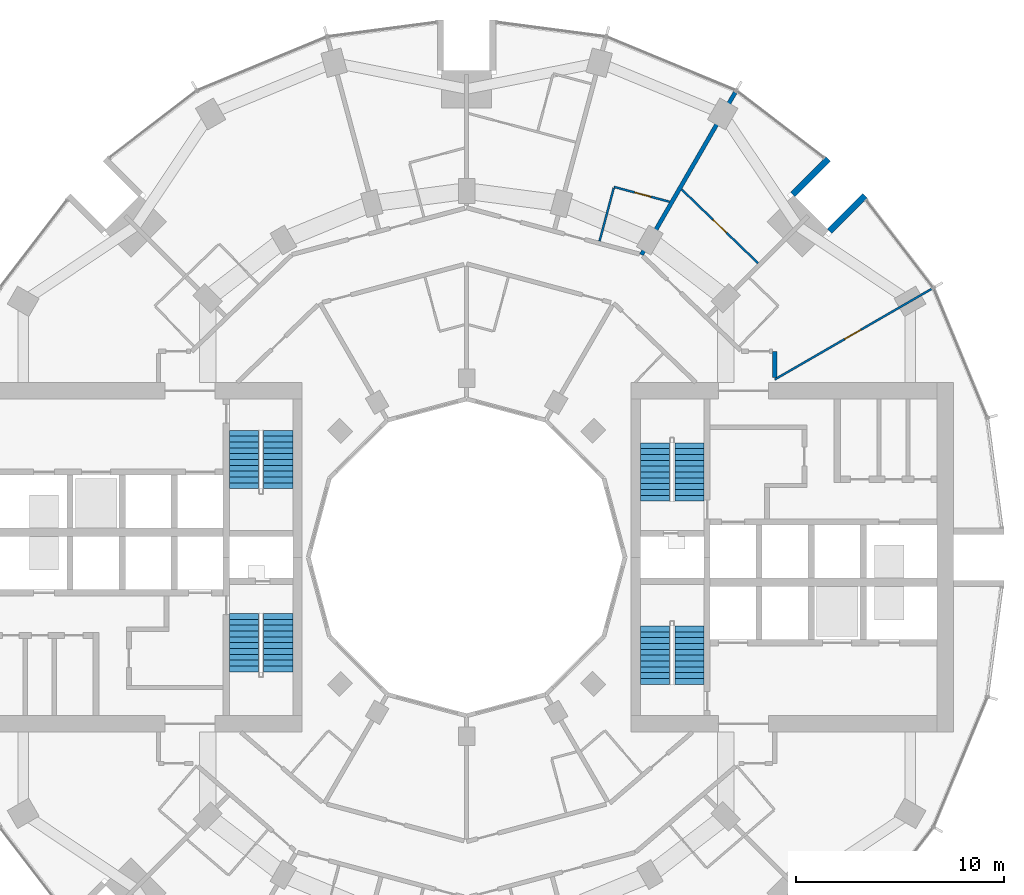
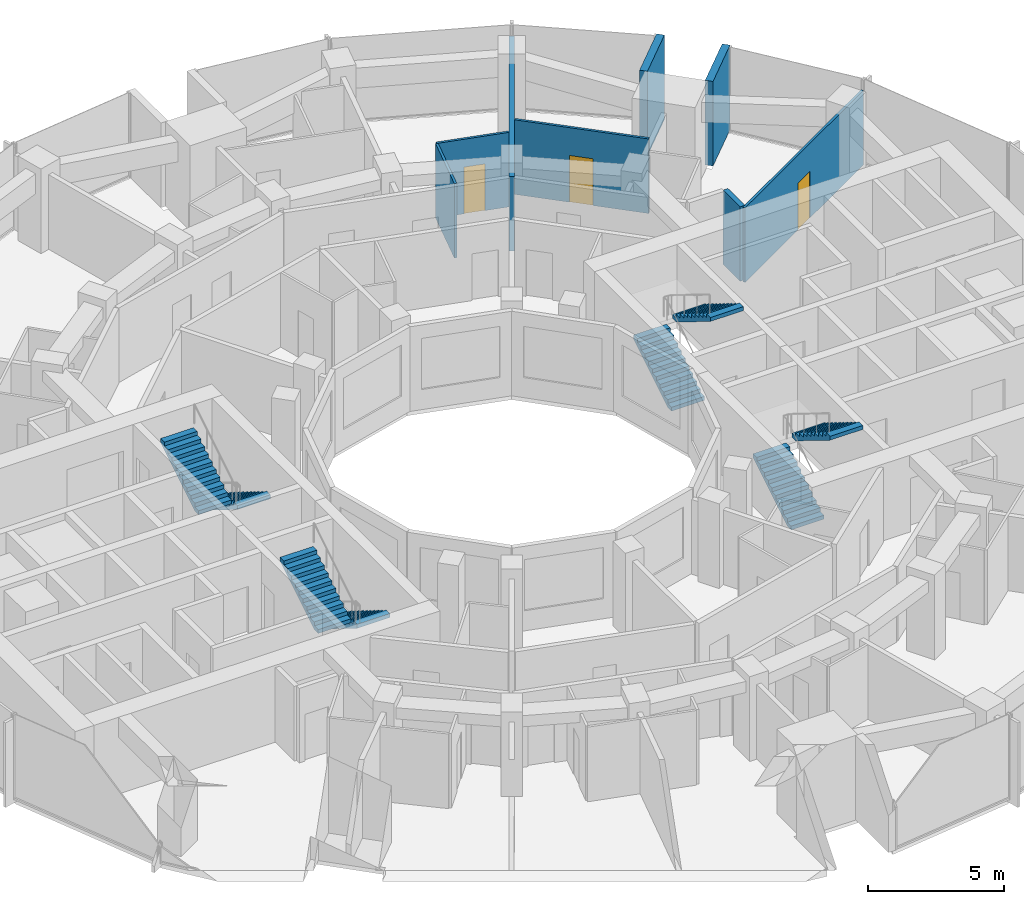
# One storey, part 13 of 15: 8 stair flights, 8 walls, 3 doors, 3 openings, 4 elements without a shape of their own.
"""IFC4 building model written with IfcOpenShell, lengths in metres."""

from ifc_helpers import new_model, si_unit, direction, frame, frame_2d, origin, place, context, subcontext, project, spatial, polyline, rectangle, outline, extrude, material, layer, layer_set, type_object, element, fill, aggregate, save


model = new_model("IFC4")

# Units and contexts
model_context = context("Model", 3, precision=1e-05, world=origin(), true_north=direction((0.0, 1.0)))
body_context = subcontext(model_context, "Body", "Model", "MODEL_VIEW")
ifc_project = project(units=[si_unit("LENGTHUNIT", "METRE"), si_unit("AREAUNIT", "SQUARE_METRE"), si_unit("VOLUMEUNIT", "CUBIC_METRE"), si_unit("PLANEANGLEUNIT", "RADIAN"), si_unit("MASSUNIT", "GRAM", prefix="KILO")], contexts=[model_context])

# Site, building, storey
site_placement = place(None, origin())
site = spatial("IfcSite", under=ifc_project, at=site_placement, CompositionType="ELEMENT")
building_placement = place(site_placement, origin())
building = spatial("IfcBuilding", under=site, at=building_placement, Name="Torre Brocal", CompositionType="ELEMENT")
storey_placement = place(building_placement, frame((0.0, 0.0, 105.199951171875)))
storey = spatial("IfcBuildingStorey", under=building, at=storey_placement, Name="L24", CompositionType="ELEMENT", Elevation=105.199951171875)

# Walls
ifc_material_1 = material(Name="Concrete C80", Category="concrete")
ifc_layer_1 = layer(ifc_material_1, 0.300048828125)
ifc_layer_set_1 = layer_set([ifc_layer_1], Name="Concrete C80")
wall_type_1 = type_object("IfcWallType", Name="NOTCH RETURN WALL 300 C80", PredefinedType="NOTDEFINED", material=ifc_layer_set_1)
for number, where, z_axis, x_axis, name in (
    (1, (97.43017578125, 90.662353515625, 0.0), (0.0, 0.0, 1.0), (0.707106781187, 0.707106781187, 0.0), "NOTCH RETURN WALL"),
    (2, (95.662353515625, 92.43017578125, 0.0), (0.0, 0.0, 1.0), (0.707106781187, 0.707106781187, 0.0), "NOTCH RETURN WALL"),
):
    element("IfcWall", number, at=place(storey_placement, frame(where, z_axis=z_axis, x_axis=x_axis)), inside=storey, type_object=wall_type_1, Name=name, PredefinedType="NOTDEFINED", context=body_context, shape_type="SweptSolid", body=[
        extrude(rectangle(XDim=2.415771484375, YDim=0.300048828125, at=frame_2d((1.2080078125, 0.0))), origin(), (0.0, 0.0, 1.0), 3.800048828125),
    ])
ifc_material_2 = material(Name="Gypsum board", Category="Gypsum")
ifc_layer_2 = layer(ifc_material_2, 0.10009765625)
ifc_layer_set_2 = layer_set([ifc_layer_2], Name="Gypsum board")
wall_type_2 = type_object("IfcWallType", Name="PARTITION 100", PredefinedType="PARTITIONING", material=ifc_layer_set_2)
wall_1_placement = place(storey_placement, frame((86.3837890625, 90.189697265625, 0.0), z_axis=(0.0, 0.0, 1.0), x_axis=(0.258677737588, 0.965963678446, 0.0)))
element("IfcWall", 3, at=wall_1_placement, inside=storey, type_object=wall_type_2, Name="BATHROOM WALL", PredefinedType="PARTITIONING", context=body_context, shape_type="SweptSolid", body=[
    extrude(rectangle(XDim=2.649169921875, YDim=0.10009765625, at=frame_2d((1.32470703125, 0.0))), origin(), (0.0, 0.0, 1.0), 3.35009765625),
])

# Wall, opening, door
wall_2_placement = place(storey_placement, frame((87.08203125, 92.797119140625, 0.0), z_axis=(0.0, 0.0, 1.0), x_axis=(0.965942906494, -0.258755292495, 0.0)))
wall_2 = element("IfcWall", 4, at=wall_2_placement, inside=storey, type_object=wall_type_2, Name="BATHROOM WALL", PredefinedType="PARTITIONING", context=body_context, shape_type="SweptSolid", body=[
    extrude(rectangle(XDim=2.753173828125, YDim=0.10009765625, at=frame_2d((1.37646484375, 0.0))), origin(), (0.0, 0.0, 1.0), 3.35009765625),
])
opening_1_placement = place(wall_2_placement, frame((1.03173828125, 0.0, 0.0)))
opening_1 = element("IfcOpeningElement", 5, at=opening_1_placement, cuts=wall_2, Name="Opening H07-D07", PredefinedType="OPENING", context=body_context, shape_type="SweptSolid", body=[
    extrude(rectangle(XDim=0.800048828125, YDim=2.10009765625, at=frame_2d((0.39990234375, 1.050048828125))), frame((0.0, 0.06005859375, 0.0), z_axis=(0.0, -1.0, 0.0), x_axis=(1.0, 0.0, 0.0)), (0.0, 0.0, 1.0), 0.1201171875),
])
ifc_material_3 = material(Name="Timber", Category="wood")
door_type_1 = type_object("IfcDoorType", Name="BATHROOM DOOR 800X2100", OperationType="SINGLE_SWING_LEFT", PredefinedType="DOOR", material=ifc_material_3)
door_1_placement = place(opening_1_placement, frame((0.800048828125, 0.0, 0.0), z_axis=(0.0, 0.0, 1.0), x_axis=(-1.0, 0.0, 0.0)))
door_1 = element("IfcDoor", 6, at=door_1_placement, inside=storey, type_object=door_type_1, Name="H07-D07", OperationType="SINGLE_SWING_LEFT", OverallHeight=2.10009765625, OverallWidth=0.800048828125, PredefinedType="DOOR", context=body_context, shape_type="SweptSolid", body=[
    extrude(rectangle(XDim=0.800048828125, YDim=2.10009765625, at=frame_2d((0.39990234375, 1.050048828125))), frame((0.0, 0.02490234375, 0.0), z_axis=(0.0, -1.0, 0.0), x_axis=(1.0, 0.0, 0.0)), (0.0, 0.0, 1.0), 0.050048828125),
])
fill(opening_1, door_1)

wall_3_placement = place(storey_placement, frame((90.336669921875, 92.66943359375, 0.0), z_axis=(0.0, 0.0, 1.0), x_axis=(0.71952469278, -0.694466857726, 0.0)))
wall_3 = element("IfcWall", 7, at=wall_3_placement, inside=storey, type_object=wall_type_2, Name="ROOM PARTITION", PredefinedType="PARTITIONING", context=body_context, shape_type="SweptSolid", body=[
    extrude(rectangle(XDim=5.0859375, YDim=0.10009765625, at=frame_2d((2.54296875, 0.0))), origin(), (0.0, 0.0, 1.0), 3.35009765625),
])
opening_2_placement = place(wall_3_placement, frame((2.082763671875, 0.0, 0.0)))
opening_2 = element("IfcOpeningElement", 8, at=opening_2_placement, cuts=wall_3, Name="Opening H07-D05", PredefinedType="OPENING", context=body_context, shape_type="SweptSolid", body=[
    extrude(rectangle(XDim=0.89990234375, YDim=2.10009765625, at=frame_2d((0.449951171875, 1.050048828125))), frame((0.0, 0.06005859375, 0.0), z_axis=(0.0, -1.0, 0.0), x_axis=(1.0, 0.0, 0.0)), (0.0, 0.0, 1.0), 0.1201171875),
])
ifc_material_4 = material(Name="Timber", Category="wood")
door_type_2 = type_object("IfcDoorType", Name="ROOM DOOR 900X2100", OperationType="SINGLE_SWING_LEFT", PredefinedType="DOOR", material=ifc_material_4)
door_2_placement = place(opening_2_placement, frame((0.89990234375, 0.0, 0.0), z_axis=(0.0, 0.0, 1.0), x_axis=(-1.0, 0.0, 0.0)))
door_2 = element("IfcDoor", 9, at=door_2_placement, inside=storey, type_object=door_type_2, Name="H07-D05", OperationType="SINGLE_SWING_RIGHT", OverallHeight=2.10009765625, OverallWidth=0.89990234375, PredefinedType="DOOR", context=body_context, shape_type="SweptSolid", body=[
    extrude(rectangle(XDim=0.89990234375, YDim=2.10009765625, at=frame_2d((0.449951171875, 1.050048828125))), frame((0.0, 0.02490234375, 0.0), z_axis=(0.0, -1.0, 0.0), x_axis=(1.0, 0.0, 0.0)), (0.0, 0.0, 1.0), 0.050048828125),
])
fill(opening_2, door_2)

wall_4_placement = place(storey_placement, frame((94.800048828125, 83.544921875, 0.0), z_axis=(0.0, 0.0, 1.0), x_axis=(0.86602264145, 0.500004784474, 0.0)))
wall_4 = element("IfcWall", 10, at=wall_4_placement, inside=storey, type_object=wall_type_2, Name="ROOM PARTITION", PredefinedType="PARTITIONING", context=body_context, shape_type="SweptSolid", body=[
    extrude(rectangle(XDim=8.7080078125, YDim=0.10009765625, at=frame_2d((4.35400390625, 0.0))), origin(), (0.0, 0.0, 1.0), 3.35009765625),
])
opening_3_placement = place(wall_4_placement, frame((3.87890625, 0.0, 0.0)))
opening_3 = element("IfcOpeningElement", 11, at=opening_3_placement, cuts=wall_4, Name="Opening H07-D03", PredefinedType="OPENING", context=body_context, shape_type="SweptSolid", body=[
    extrude(rectangle(XDim=0.89990234375, YDim=2.10009765625, at=frame_2d((0.449951171875, 1.050048828125))), frame((0.0, 0.06005859375, 0.0), z_axis=(0.0, -1.0, 0.0), x_axis=(1.0, 0.0, 0.0)), (0.0, 0.0, 1.0), 0.1201171875),
])
door_3_placement = place(opening_3_placement, frame((0.89990234375, 0.0, 0.0), z_axis=(0.0, 0.0, 1.0), x_axis=(-1.0, 0.0, 0.0)))
door_3 = element("IfcDoor", 12, at=door_3_placement, inside=storey, type_object=door_type_2, Name="H07-D03", OperationType="SINGLE_SWING_RIGHT", OverallHeight=2.10009765625, OverallWidth=0.89990234375, PredefinedType="DOOR", context=body_context, shape_type="SweptSolid", body=[
    extrude(rectangle(XDim=0.89990234375, YDim=2.10009765625, at=frame_2d((0.449951171875, 1.050048828125))), frame((0.0, 0.02490234375, 0.0), z_axis=(0.0, -1.0, 0.0), x_axis=(1.0, 0.0, 0.0)), (0.0, 0.0, 1.0), 0.050048828125),
])
fill(opening_3, door_3)

# Walls
ifc_material_5 = material(Name="Gypsum board", Category="Gypsum")
ifc_layer_3 = layer(ifc_material_5, 0.199951171875)
ifc_layer_set_3 = layer_set([ifc_layer_3], Name="Gypsum board")
wall_type_3 = type_object("IfcWallType", Name="PARTITION 200 EI60", PredefinedType="PARTITIONING", material=ifc_layer_set_3)
wall_5_placement = place(storey_placement, frame((88.397705078125, 89.538818359375, 0.0), z_axis=(0.0, 0.0, 1.0), x_axis=(0.50025185873, 0.86587994424, 0.0)))
element("IfcWall", 13, at=wall_5_placement, inside=storey, type_object=wall_type_3, Name="BATHROOM WALL", PredefinedType="PARTITIONING", context=body_context, shape_type="SweptSolid", body=[
    extrude(rectangle(XDim=9.007568359375, YDim=0.199951171875, at=frame_2d((4.50390625, 0.0))), origin(), (0.0, 0.0, 1.0), 3.35009765625),
])
wall_6_placement = place(storey_placement, frame((94.800048828125, 83.64990234375, 0.0), z_axis=(0.0, 0.0, 1.0), x_axis=(0.0, 1.0, 0.0)))
element("IfcWall", 14, at=wall_6_placement, inside=storey, type_object=wall_type_3, Name="GUESTROOM CORRIDOR WALL", PredefinedType="PARTITIONING", context=body_context, shape_type="SweptSolid", body=[
    extrude(rectangle(XDim=1.25, YDim=0.199951171875, at=frame_2d((0.625, 0.0))), origin(), (0.0, 0.0, 1.0), 3.35009765625),
])

# Stair, stair flights
ifc_material_6 = material(Name="Concrete C50", Category="concrete")
stair_type = type_object("IfcStairType", Name="EXIT STAIR", PredefinedType="HALF_TURN_STAIR", material=ifc_material_6)
stair_1_placement = place(storey_placement, origin())
stair_1 = element("IfcStair", 15, at=stair_1_placement, inside=storey, type_object=stair_type, Name="EXIT STAIR ST1", PredefinedType="HALF_TURN_STAIR")
ifc_material_7 = material(Name="Concrete C50", Category="concrete")
ifc_layer_4 = layer(ifc_material_7, 0.14990234375)
ifc_layer_set_4 = layer_set([ifc_layer_4], Name="Concrete C50")
stair_flight_type = type_object("IfcStairFlightType", Name="STAIR FLIGHT", PredefinedType="STRAIGHT", material=ifc_layer_set_4)
stair_flight_1_placement = place(storey_placement, frame((89.050048828125, 77.699951171875, 0.0), z_axis=(0.0, 0.0, 1.0), x_axis=(0.0, 1.0, 0.0)))
stair_flight_1 = element("IfcStairFlight", 16, at=stair_flight_1_placement, type_object=stair_flight_type, Name="ST1 flight 1", NumberOfRisers=11, NumberOfTreads=10, PredefinedType="STRAIGHT", RiserHeight=0.172727273, TreadLength=0.28, context=body_context, shape_type="SweptSolid", body=[
    extrude(outline(polyline([(0.0, 0.0), (0.0, 0.172607421875), (0.280029296875, 0.172607421875), (0.280029296875, 0.345458984375), (0.56005859375, 0.345458984375), (0.56005859375, 0.51806640625), (0.840087890625, 0.51806640625), (0.840087890625, 0.69091796875), (1.1201171875, 0.69091796875), (1.1201171875, 0.863525390625), (1.39990234375, 0.863525390625), (1.39990234375, 1.036376953125), (1.679931640625, 1.036376953125), (1.679931640625, 1.208984375), (1.9599609375, 1.208984375), (1.9599609375, 1.3818359375), (2.239990234375, 1.3818359375), (2.239990234375, 1.554443359375), (2.52001953125, 1.554443359375), (2.52001953125, 1.727294921875), (2.800048828125, 1.727294921875), (2.800048828125, 1.89990234375), (2.800048828125, 1.551025390625), (0.285400390625, 0.0), (0.0, 0.0)])), frame((0.0, 0.699951171875, 0.0), z_axis=(0.0, -1.0, 0.0), x_axis=(1.0, 0.0, 0.0)), (0.0, 0.0, 1.0), 1.39990234375),
])
stair_flight_2_placement = place(storey_placement, frame((90.699951171875, 80.5, 1.900146484375), z_axis=(0.0, 0.0, 1.0), x_axis=(0.0, -1.0, 0.0)))
stair_flight_2 = element("IfcStairFlight", 17, at=stair_flight_2_placement, type_object=stair_flight_type, Name="ST1 flight 2", NumberOfRisers=11, NumberOfTreads=10, PredefinedType="STRAIGHT", RiserHeight=0.172727273, TreadLength=0.28, context=body_context, shape_type="SweptSolid", body=[
    extrude(outline(polyline([(0.0, 0.0), (0.0, 0.172607421875), (0.280029296875, 0.172607421875), (0.280029296875, 0.345458984375), (0.56005859375, 0.345458984375), (0.56005859375, 0.51806640625), (0.840087890625, 0.51806640625), (0.840087890625, 0.69091796875), (1.1201171875, 0.69091796875), (1.1201171875, 0.863525390625), (1.39990234375, 0.863525390625), (1.39990234375, 1.036376953125), (1.679931640625, 1.036376953125), (1.679931640625, 1.208984375), (1.9599609375, 1.208984375), (1.9599609375, 1.3818359375), (2.239990234375, 1.3818359375), (2.239990234375, 1.554443359375), (2.52001953125, 1.554443359375), (2.52001953125, 1.727294921875), (2.800048828125, 1.727294921875), (2.800048828125, 1.89990234375), (2.800048828125, 1.551025390625), (0.285400390625, 0.0), (0.0, 0.0)])), frame((0.0, 0.699951171875, 0.0), z_axis=(0.0, -1.0, 0.0), x_axis=(1.0, 0.0, 0.0)), (0.0, 0.0, 1.0), 1.39990234375),
])
aggregate(stair_1, [stair_flight_1, stair_flight_2])

stair_2_placement = place(storey_placement, origin())
stair_2 = element("IfcStair", 18, at=stair_2_placement, inside=storey, type_object=stair_type, Name="EXIT STAIR ST2", PredefinedType="HALF_TURN_STAIR")
stair_flight_3_placement = place(storey_placement, frame((89.050048828125, 68.89990234375, 0.0), z_axis=(0.0, 0.0, 1.0), x_axis=(0.0, 1.0, 0.0)))
stair_flight_3 = element("IfcStairFlight", 19, at=stair_flight_3_placement, type_object=stair_flight_type, Name="ST2 flight 1", NumberOfRisers=11, NumberOfTreads=10, PredefinedType="STRAIGHT", RiserHeight=0.172727273, TreadLength=0.28, context=body_context, shape_type="SweptSolid", body=[
    extrude(outline(polyline([(0.0, 0.0), (0.0, 0.172607421875), (0.280029296875, 0.172607421875), (0.280029296875, 0.345458984375), (0.56005859375, 0.345458984375), (0.56005859375, 0.51806640625), (0.840087890625, 0.51806640625), (0.840087890625, 0.69091796875), (1.1201171875, 0.69091796875), (1.1201171875, 0.863525390625), (1.39990234375, 0.863525390625), (1.39990234375, 1.036376953125), (1.679931640625, 1.036376953125), (1.679931640625, 1.208984375), (1.9599609375, 1.208984375), (1.9599609375, 1.3818359375), (2.239990234375, 1.3818359375), (2.239990234375, 1.554443359375), (2.52001953125, 1.554443359375), (2.52001953125, 1.727294921875), (2.800048828125, 1.727294921875), (2.800048828125, 1.89990234375), (2.800048828125, 1.551025390625), (0.285400390625, 0.0), (0.0, 0.0)])), frame((0.0, 0.699951171875, 0.0), z_axis=(0.0, -1.0, 0.0), x_axis=(1.0, 0.0, 0.0)), (0.0, 0.0, 1.0), 1.39990234375),
])
stair_flight_4_placement = place(storey_placement, frame((90.699951171875, 71.699951171875, 1.900146484375), z_axis=(0.0, 0.0, 1.0), x_axis=(0.0, -1.0, 0.0)))
stair_flight_4 = element("IfcStairFlight", 20, at=stair_flight_4_placement, type_object=stair_flight_type, Name="ST2 flight 2", NumberOfRisers=11, NumberOfTreads=10, PredefinedType="STRAIGHT", RiserHeight=0.172727273, TreadLength=0.28, context=body_context, shape_type="SweptSolid", body=[
    extrude(outline(polyline([(0.0, 0.0), (0.0, 0.172607421875), (0.280029296875, 0.172607421875), (0.280029296875, 0.345458984375), (0.56005859375, 0.345458984375), (0.56005859375, 0.51806640625), (0.840087890625, 0.51806640625), (0.840087890625, 0.69091796875), (1.1201171875, 0.69091796875), (1.1201171875, 0.863525390625), (1.39990234375, 0.863525390625), (1.39990234375, 1.036376953125), (1.679931640625, 1.036376953125), (1.679931640625, 1.208984375), (1.9599609375, 1.208984375), (1.9599609375, 1.3818359375), (2.239990234375, 1.3818359375), (2.239990234375, 1.554443359375), (2.52001953125, 1.554443359375), (2.52001953125, 1.727294921875), (2.800048828125, 1.727294921875), (2.800048828125, 1.89990234375), (2.800048828125, 1.551025390625), (0.285400390625, 0.0), (0.0, 0.0)])), frame((0.0, 0.699951171875, 0.0), z_axis=(0.0, -1.0, 0.0), x_axis=(1.0, 0.0, 0.0)), (0.0, 0.0, 1.0), 1.39990234375),
])
aggregate(stair_2, [stair_flight_3, stair_flight_4])

stair_3_placement = place(storey_placement, origin())
stair_3 = element("IfcStair", 21, at=stair_3_placement, inside=storey, type_object=stair_type, Name="EXIT STAIR ST3", PredefinedType="HALF_TURN_STAIR")
stair_flight_5_placement = place(storey_placement, frame((70.949951171875, 72.300048828125, 0.0), z_axis=(0.0, 0.0, 1.0), x_axis=(0.0, -1.0, 0.0)))
stair_flight_5 = element("IfcStairFlight", 22, at=stair_flight_5_placement, type_object=stair_flight_type, Name="ST3 flight 1", NumberOfRisers=11, NumberOfTreads=10, PredefinedType="STRAIGHT", RiserHeight=0.172727273, TreadLength=0.28, context=body_context, shape_type="SweptSolid", body=[
    extrude(outline(polyline([(0.0, 0.0), (0.0, 0.172607421875), (0.280029296875, 0.172607421875), (0.280029296875, 0.345458984375), (0.56005859375, 0.345458984375), (0.56005859375, 0.51806640625), (0.840087890625, 0.51806640625), (0.840087890625, 0.69091796875), (1.1201171875, 0.69091796875), (1.1201171875, 0.863525390625), (1.39990234375, 0.863525390625), (1.39990234375, 1.036376953125), (1.679931640625, 1.036376953125), (1.679931640625, 1.208984375), (1.9599609375, 1.208984375), (1.9599609375, 1.3818359375), (2.239990234375, 1.3818359375), (2.239990234375, 1.554443359375), (2.52001953125, 1.554443359375), (2.52001953125, 1.727294921875), (2.800048828125, 1.727294921875), (2.800048828125, 1.89990234375), (2.800048828125, 1.551025390625), (0.285400390625, 0.0), (0.0, 0.0)])), frame((0.0, 0.699951171875, 0.0), z_axis=(0.0, -1.0, 0.0), x_axis=(1.0, 0.0, 0.0)), (0.0, 0.0, 1.0), 1.39990234375),
])
stair_flight_6_placement = place(storey_placement, frame((69.300048828125, 69.5, 1.900146484375), z_axis=(0.0, 0.0, 1.0), x_axis=(0.0, 1.0, 0.0)))
stair_flight_6 = element("IfcStairFlight", 23, at=stair_flight_6_placement, type_object=stair_flight_type, Name="ST3 flight 2", NumberOfRisers=11, NumberOfTreads=10, PredefinedType="STRAIGHT", RiserHeight=0.172727273, TreadLength=0.28, context=body_context, shape_type="SweptSolid", body=[
    extrude(outline(polyline([(0.0, 0.0), (0.0, 0.172607421875), (0.280029296875, 0.172607421875), (0.280029296875, 0.345458984375), (0.56005859375, 0.345458984375), (0.56005859375, 0.51806640625), (0.840087890625, 0.51806640625), (0.840087890625, 0.69091796875), (1.1201171875, 0.69091796875), (1.1201171875, 0.863525390625), (1.39990234375, 0.863525390625), (1.39990234375, 1.036376953125), (1.679931640625, 1.036376953125), (1.679931640625, 1.208984375), (1.9599609375, 1.208984375), (1.9599609375, 1.3818359375), (2.239990234375, 1.3818359375), (2.239990234375, 1.554443359375), (2.52001953125, 1.554443359375), (2.52001953125, 1.727294921875), (2.800048828125, 1.727294921875), (2.800048828125, 1.89990234375), (2.800048828125, 1.551025390625), (0.285400390625, 0.0), (0.0, 0.0)])), frame((0.0, 0.699951171875, 0.0), z_axis=(0.0, -1.0, 0.0), x_axis=(1.0, 0.0, 0.0)), (0.0, 0.0, 1.0), 1.39990234375),
])
aggregate(stair_3, [stair_flight_5, stair_flight_6])

stair_4_placement = place(storey_placement, origin())
stair_4 = element("IfcStair", 24, at=stair_4_placement, inside=storey, type_object=stair_type, Name="EXIT STAIR ST4", PredefinedType="HALF_TURN_STAIR")
stair_flight_7_placement = place(storey_placement, frame((70.949951171875, 81.10009765625, 0.0), z_axis=(0.0, 0.0, 1.0), x_axis=(0.0, -1.0, 0.0)))
stair_flight_7 = element("IfcStairFlight", 25, at=stair_flight_7_placement, type_object=stair_flight_type, Name="ST4 flight 1", NumberOfRisers=11, NumberOfTreads=10, PredefinedType="STRAIGHT", RiserHeight=0.172727273, TreadLength=0.28, context=body_context, shape_type="SweptSolid", body=[
    extrude(outline(polyline([(0.0, 0.0), (0.0, 0.172607421875), (0.280029296875, 0.172607421875), (0.280029296875, 0.345458984375), (0.56005859375, 0.345458984375), (0.56005859375, 0.51806640625), (0.840087890625, 0.51806640625), (0.840087890625, 0.69091796875), (1.1201171875, 0.69091796875), (1.1201171875, 0.863525390625), (1.39990234375, 0.863525390625), (1.39990234375, 1.036376953125), (1.679931640625, 1.036376953125), (1.679931640625, 1.208984375), (1.9599609375, 1.208984375), (1.9599609375, 1.3818359375), (2.239990234375, 1.3818359375), (2.239990234375, 1.554443359375), (2.52001953125, 1.554443359375), (2.52001953125, 1.727294921875), (2.800048828125, 1.727294921875), (2.800048828125, 1.89990234375), (2.800048828125, 1.551025390625), (0.285400390625, 0.0), (0.0, 0.0)])), frame((0.0, 0.699951171875, 0.0), z_axis=(0.0, -1.0, 0.0), x_axis=(1.0, 0.0, 0.0)), (0.0, 0.0, 1.0), 1.39990234375),
])
stair_flight_8_placement = place(storey_placement, frame((69.300048828125, 78.300048828125, 1.900146484375), z_axis=(0.0, 0.0, 1.0), x_axis=(0.0, 1.0, 0.0)))
stair_flight_8 = element("IfcStairFlight", 26, at=stair_flight_8_placement, type_object=stair_flight_type, Name="ST4 flight 2", NumberOfRisers=11, NumberOfTreads=10, PredefinedType="STRAIGHT", RiserHeight=0.172727273, TreadLength=0.28, context=body_context, shape_type="SweptSolid", body=[
    extrude(outline(polyline([(0.0, 0.0), (0.0, 0.172607421875), (0.280029296875, 0.172607421875), (0.280029296875, 0.345458984375), (0.56005859375, 0.345458984375), (0.56005859375, 0.51806640625), (0.840087890625, 0.51806640625), (0.840087890625, 0.69091796875), (1.1201171875, 0.69091796875), (1.1201171875, 0.863525390625), (1.39990234375, 0.863525390625), (1.39990234375, 1.036376953125), (1.679931640625, 1.036376953125), (1.679931640625, 1.208984375), (1.9599609375, 1.208984375), (1.9599609375, 1.3818359375), (2.239990234375, 1.3818359375), (2.239990234375, 1.554443359375), (2.52001953125, 1.554443359375), (2.52001953125, 1.727294921875), (2.800048828125, 1.727294921875), (2.800048828125, 1.89990234375), (2.800048828125, 1.551025390625), (0.285400390625, 0.0), (0.0, 0.0)])), frame((0.0, 0.699951171875, 0.0), z_axis=(0.0, -1.0, 0.0), x_axis=(1.0, 0.0, 0.0)), (0.0, 0.0, 1.0), 1.39990234375),
])
aggregate(stair_4, [stair_flight_7, stair_flight_8])

save(model, "model.ifc")
